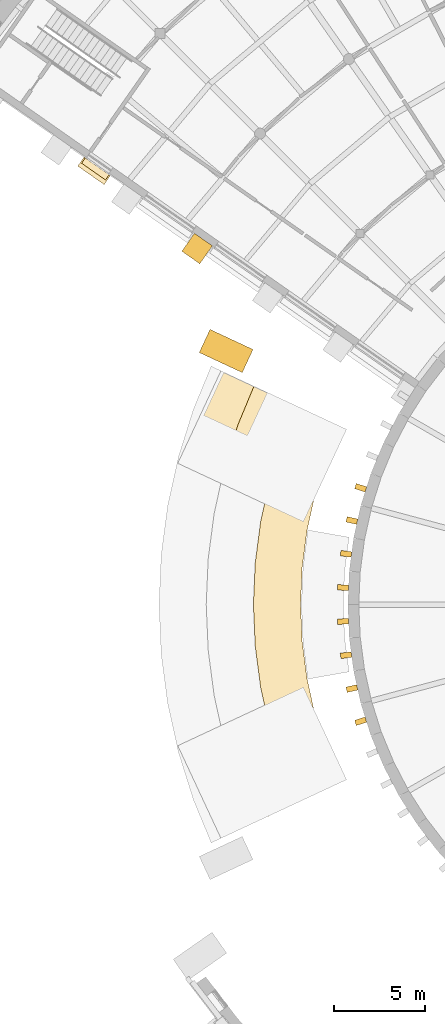
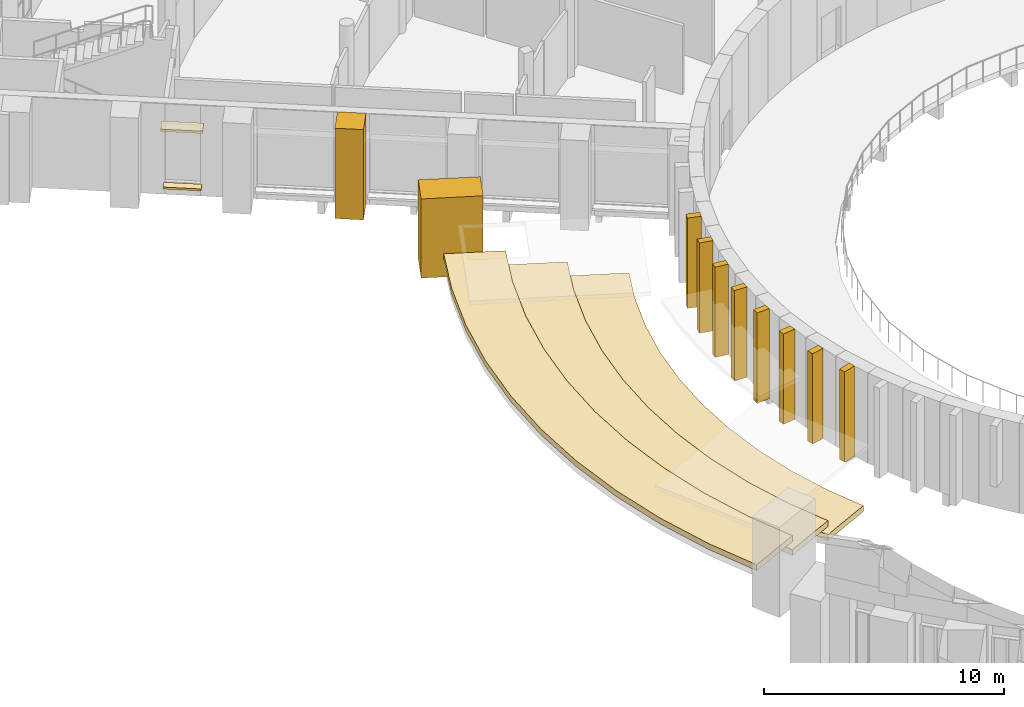
# One storey, part 38 of 50: 15 coverings.
"""IFC4 building model written with IfcOpenShell, lengths in metres."""

import ifcopenshell
import ifcopenshell.guid

model = None  # the IFC model being written
_history = None  # IfcOwnerHistory: only IFC2X3 demands one
_inside = {}  # id of a spatial element -> (the spatial element, [elements in it])
_under = {}  # id of a project, library or spatial element -> (it, [spatial elements below it])
_declared = {}  # id of a project -> (the project, [libraries it declares])
_typed = {}  # id of a type object -> (the type object, [elements of that type])
_made_of = {}  # id of a material, layer set ... -> (it, [elements and type objects made of it])


def new_model(schema):
    """Start an empty IFC model of exactly this schema.

    Asked for "IFC4X3", IfcOpenShell would pick the latest addendum, in which some entities
    have other attributes; the version numbers below select the first issue.
    IFC2X3 requires an IfcOwnerHistory on every rooted entity: one is made here for all.
    """
    global model, _history
    if schema == "IFC4X3":
        model = ifcopenshell.file(schema_version=(4, 3, 0, 0))
    else:
        model = ifcopenshell.file(schema=schema)
    _inside.clear()
    _under.clear()
    _declared.clear()
    _typed.clear()
    _made_of.clear()
    _history = None
    if model.schema == "IFC2X3":
        org = make("IfcOrganization", Name="unknown")
        user = make(
            "IfcPersonAndOrganization",
            ThePerson=make("IfcPerson", FamilyName="unknown"),
            TheOrganization=org,
        )
        app = make(
            "IfcApplication",
            ApplicationDeveloper=org,
            Version="unknown",
            ApplicationFullName="unknown",
            ApplicationIdentifier="unknown",
        )
        _history = make(
            "IfcOwnerHistory",
            OwningUser=user,
            OwningApplication=app,
            ChangeAction="ADDED",
            CreationDate=0,
        )
    return model


def make(cls, **values):
    """One entity of the class cls with the attributes given. An attribute that is None is left unset."""
    return model.create_entity(
        cls, **{name: value for name, value in values.items() if value is not None}
    )


def rooted(cls, **values):
    """An entity with a GlobalId (a new one), such as an element, a storey or a relation."""
    return make(cls, GlobalId=ifcopenshell.guid.new(), OwnerHistory=_history, **values)


def si_unit(unit_type, name, prefix=None):
    """IfcSIUnit, for example si_unit("LENGTHUNIT", "METRE", prefix="MILLI")."""
    return make("IfcSIUnit", UnitType=unit_type, Prefix=prefix, Name=name)


def assignment(units):
    """IfcUnitAssignment: the units of a project."""
    return None if units is None else make("IfcUnitAssignment", Units=units)


def point(xyz):
    """IfcCartesianPoint."""
    return None if xyz is None else make("IfcCartesianPoint", Coordinates=xyz)


def direction(xyz):
    """IfcDirection."""
    return None if xyz is None else make("IfcDirection", DirectionRatios=xyz)


def frame(location, z_axis=None, x_axis=None):
    """IfcAxis2Placement3D, a coordinate frame: its origin and axes. An axis left out is left unset."""
    return make(
        "IfcAxis2Placement3D",
        Location=point(location),
        Axis=direction(z_axis),
        RefDirection=direction(x_axis),
    )


def frame_2d(location, x_axis=None):
    """IfcAxis2Placement2D, a coordinate frame in the plane: its origin and x axis."""
    return make(
        "IfcAxis2Placement2D", Location=point(location), RefDirection=direction(x_axis)
    )


def origin():
    """The frame at (0, 0, 0) with its axes left unset."""
    return frame((0.0, 0.0, 0.0))


def origin_2d():
    """The frame at (0, 0) in the plane with its x axis left unset."""
    return frame_2d((0.0, 0.0))


def place(relative_to, where):
    """IfcLocalPlacement: puts the frame where relative to a parent placement (None: the world)."""
    return make(
        "IfcLocalPlacement", PlacementRelTo=relative_to, RelativePlacement=where
    )


def context(
    kind, dimensions, precision=None, world=None, true_north=None, identifier=None
):
    """IfcGeometricRepresentationContext, for example the 3D "Model" context."""
    return make(
        "IfcGeometricRepresentationContext",
        ContextIdentifier=identifier,
        ContextType=kind,
        CoordinateSpaceDimension=dimensions,
        Precision=precision,
        WorldCoordinateSystem=world,
        TrueNorth=true_north,
    )


def subcontext(parent, identifier, kind, view, scale=None):
    """IfcGeometricRepresentationSubContext, for example "Body" below "Model"."""
    return make(
        "IfcGeometricRepresentationSubContext",
        ContextIdentifier=identifier,
        ContextType=kind,
        ParentContext=parent,
        TargetScale=scale,
        TargetView=view,
    )


def project(units=None, contexts=None):
    """IfcProject with its units and contexts."""
    return rooted(
        "IfcProject",
        Name="project",
        RepresentationContexts=contexts,
        UnitsInContext=assignment(units),
    )


def spatial(cls, under=None, at=None, **own):
    """A site, building, storey or space (cls), placed at a placement, below another one or the project."""
    s = rooted(cls, ObjectPlacement=at, **own)
    if under is not None:
        _under.setdefault(under.id(), (under, []))[1].append(s)
    return s


def polyline(points):
    """IfcPolyline through the points."""
    return make("IfcPolyline", Points=[point(p) for p in points])


def profile(cls, at=None, kind="AREA", **sizes):
    """A parametric profile (cls). Its sizes go by their IFC names, for example OverallWidth=200.0."""
    return make(cls, ProfileType=kind, Position=at, **sizes)


def rectangle(**sizes):
    """IfcRectangleProfileDef."""
    return profile("IfcRectangleProfileDef", **sizes)


def outline(outer, holes=None, kind="AREA"):
    """IfcArbitraryClosedProfileDef: a profile drawn as a closed curve; with holes, ...WithVoids."""
    if holes is None:
        return make("IfcArbitraryClosedProfileDef", ProfileType=kind, OuterCurve=outer)
    return make(
        "IfcArbitraryProfileDefWithVoids",
        ProfileType=kind,
        OuterCurve=outer,
        InnerCurves=holes,
    )


def extrude(swept, where, along, depth):
    """IfcExtrudedAreaSolid: the profile swept, set in the frame where, extruded along a direction by depth."""
    return make(
        "IfcExtrudedAreaSolid",
        SweptArea=swept,
        Position=where,
        ExtrudedDirection=direction(along),
        Depth=depth,
    )


def shape(context_of_items, identifier, shape_type, items):
    """IfcShapeRepresentation: the items that make up one representation, for example the "Body"."""
    return make(
        "IfcShapeRepresentation",
        ContextOfItems=context_of_items,
        RepresentationIdentifier=identifier,
        RepresentationType=shape_type,
        Items=items,
    )


def material(Name=None, Category=None):
    """IfcMaterial."""
    return make("IfcMaterial", Name=Name, Category=Category)


def layer(
    of_material, thickness, ventilated=None, Name=None, Category=None, Priority=None
):
    """IfcMaterialLayer: one layer of a wall or slab, of a material (None: an air gap)."""
    return make(
        "IfcMaterialLayer",
        Material=of_material,
        LayerThickness=thickness,
        IsVentilated=ventilated,
        Name=Name,
        Category=Category,
        Priority=Priority,
    )


def layer_set(layers, Name=None):
    """IfcMaterialLayerSet."""
    return make("IfcMaterialLayerSet", MaterialLayers=layers, LayerSetName=Name)


def made_of(thing, what):
    """Note that an element or type object is made of a material, layer set ...; save() writes the relation."""
    if what is not None:
        _made_of.setdefault(what.id(), (what, []))[1].append(thing)
    return thing


def type_object(cls, material=None, **own):
    """A type object (cls), such as IfcWallType, which elements share."""
    return made_of(rooted(cls, **own), material)


def element(
    cls,
    number,
    at=None,
    inside=None,
    cuts=None,
    type_object=None,
    material=None,
    context=None,
    identifier="Body",
    shape_type=None,
    held_by="IfcProductDefinitionShape",
    body=None,
    shapes=None,
    **own,
):
    """One element of the class cls, such as IfcWall. Its Tag is "e" and its number.

    at: its placement. inside: the storey or other place that contains it. cuts: it is an
    opening in that element (IfcRelVoidsElement). A single representation is given by context,
    identifier, shape_type and body (its items); several are given by shapes. held_by: the class
    of the entity that holds the representations. save() writes the other relations.
    """
    e = rooted(cls, Tag="e%d" % number, ObjectPlacement=at, **own)
    if body is not None:
        shapes = [shape(context, identifier, shape_type, body)]
    if shapes is not None:
        e.Representation = make(held_by, Representations=shapes)
    if inside is not None:
        _inside.setdefault(inside.id(), (inside, []))[1].append(e)
    if cuts is not None:
        rooted(
            "IfcRelVoidsElement", RelatingBuildingElement=cuts, RelatedOpeningElement=e
        )
    if type_object is not None:
        _typed.setdefault(type_object.id(), (type_object, []))[1].append(e)
    return made_of(e, material)


def aggregate(whole, parts):
    """IfcRelAggregates: a whole, such as a stair, and the parts it consists of."""
    return rooted("IfcRelAggregates", RelatingObject=whole, RelatedObjects=parts)


def save(model, path):
    """Write the relations noted so far, then the file.

    IfcRelAggregates (storeys below a building ...), IfcRelContainedInSpatialStructure (elements
    in a storey), IfcRelDefinesByType, IfcRelAssociatesMaterial and IfcRelDeclares: one each for
    every whole, place, type object, material and project.
    """
    for whole, parts in _under.values():
        aggregate(whole, parts)
    for where, things in _inside.values():
        rooted(
            "IfcRelContainedInSpatialStructure",
            RelatedElements=things,
            RelatingStructure=where,
        )
    for kind, things in _typed.values():
        rooted("IfcRelDefinesByType", RelatedObjects=things, RelatingType=kind)
    for what, things in _made_of.values():
        rooted("IfcRelAssociatesMaterial", RelatedObjects=things, RelatingMaterial=what)
    for by, libraries in _declared.values():
        rooted("IfcRelDeclares", RelatingContext=by, RelatedDefinitions=libraries)
    model.write(path)


model = new_model("IFC4")

# Units and contexts
model_context = context("Model", 3, precision=1e-05, world=origin(), true_north=direction((0.0, 1.0)))
body_context = subcontext(model_context, "Body", "Model", "MODEL_VIEW")
ifc_project = project(units=[si_unit("LENGTHUNIT", "METRE"), si_unit("AREAUNIT", "SQUARE_METRE"), si_unit("VOLUMEUNIT", "CUBIC_METRE"), si_unit("PLANEANGLEUNIT", "RADIAN"), si_unit("MASSUNIT", "GRAM", prefix="KILO")], contexts=[model_context])

# Site, building, storey
site_placement = place(None, origin())
site = spatial("IfcSite", under=ifc_project, at=site_placement, CompositionType="ELEMENT")
building_placement = place(site_placement, origin())
building = spatial("IfcBuilding", under=site, at=building_placement, Name="Volute Hill Aquarium", CompositionType="ELEMENT")
storey_placement = place(building_placement, frame((0.0, 0.0, 9.199951171875)))
storey = spatial("IfcBuildingStorey", under=building, at=storey_placement, Name="L03", CompositionType="ELEMENT", Elevation=9.199951171875)

# Coverings
ifc_material_1 = material(Name="Precast pale concrete C40/50", Category="concrete")
covering_type_1 = type_object("IfcCoveringType", Name="Drum pier fin 300x600", PredefinedType="CLADDING", material=ifc_material_1)
for number, where, z_axis, x_axis, name in (
    (1, (-20.29541015625, 6.399169921875, 0.0), (0.0, 0.0, 1.0), (-0.300705799504, -0.953716950748, 0.0), "Drum pier fin DF 33 L03"),
    (2, (-20.77587890625, 4.60595703125, 0.0), (0.0, 0.0, 1.0), (-0.216439613938, -0.97629600712, 0.0), "Drum pier fin DF 34 L03"),
    (3, (-21.09814453125, 2.777587890625, 0.0), (0.0, 0.0, 1.0), (-0.13052619222, -0.991444861374, 0.0), "Drum pier fin DF 35 L03"),
    (4, (-21.260009765625, 0.92822265625, 0.0), (0.0, 0.0, 1.0), (-0.043619387365, -0.999048221582, 0.0), "Drum pier fin DF 36 L03"),
    (5, (-21.260009765625, -0.92822265625, 0.0), (0.0, 0.0, 1.0), (0.043619387365, -0.999048221582, 0.0), "Drum pier fin DF 37 L03"),
    (6, (-21.09814453125, -2.777587890625, 0.0), (0.0, 0.0, 1.0), (0.13052619222, -0.991444861374, 0.0), "Drum pier fin DF 38 L03"),
    (7, (-20.77587890625, -4.60595703125, 0.0), (0.0, 0.0, 1.0), (0.216439613938, -0.97629600712, 0.0), "Drum pier fin DF 39 L03"),
    (8, (-20.29541015625, -6.399169921875, 0.0), (0.0, 0.0, 1.0), (0.300705799504, -0.953716950748, 0.0), "Drum pier fin DF 40 L03"),
):
    element("IfcCovering", number, at=place(storey_placement, frame(where, z_axis=z_axis, x_axis=x_axis)), inside=storey, type_object=covering_type_1, Name=name, PredefinedType="CLADDING", context=body_context, shape_type="SweptSolid", body=[
        extrude(rectangle(XDim=0.300048828125, YDim=0.60009765625, at=origin_2d()), origin(), (0.0, 0.0, 1.0), 4.60009765625),
    ])
ifc_material_2 = material(Name="Precast concrete C40/50", Category="concrete")
covering_type_2 = type_object("IfcCoveringType", Name="End wall precast fin C40/50 1200x1200", PredefinedType="CLADDING", material=ifc_material_2)
covering_1_placement = place(storey_placement, frame((-29.26025390625, 19.51171875, 0.0), z_axis=(0.0, 0.0, 1.0), x_axis=(-0.819151442029, 0.573577296467, 0.0)))
element("IfcCovering", 9, at=covering_1_placement, inside=storey, type_object=covering_type_2, Name="End wall fin EWF S6B L03 4", PredefinedType="CLADDING", context=body_context, shape_type="SweptSolid", body=[
    extrude(rectangle(XDim=1.199951171875, YDim=1.199951171875, at=origin_2d()), origin(), (0.0, 0.0, 1.0), 4.60009765625),
])
ifc_material_3 = material(Name="Precast concrete C40/50", Category="concrete")
ifc_layer_1 = layer(ifc_material_3, 0.1201171875)
ifc_layer_set_1 = layer_set([ifc_layer_1], Name="End wall window head blade precast C40/50 600x120")
covering_type_3 = type_object("IfcCoveringType", Name="End wall window head blade precast C40/50 600x120", PredefinedType="CLADDING", material=ifc_layer_set_1)
covering_2_placement = place(storey_placement, frame((-34.908203125, 23.771484375, 3.60009765625), z_axis=(0.0, 0.0, 1.0), x_axis=(-0.819151442029, 0.573577296467, 0.0)))
element("IfcCovering", 10, at=covering_2_placement, inside=storey, type_object=covering_type_3, Name="End wall window head blade EWB S6B L03 5.1", PredefinedType="CLADDING", context=body_context, shape_type="SweptSolid", body=[
    extrude(rectangle(XDim=1.760009765625, YDim=0.60009765625, at=origin_2d()), origin(), (0.0, 0.0, 1.0), 0.1201171875),
])
ifc_material_4 = material(Name="Precast concrete C40/50", Category="concrete")
ifc_layer_2 = layer(ifc_material_4, 0.10009765625)
ifc_layer_set_2 = layer_set([ifc_layer_2], Name="End wall window sill precast C40/50 350x100")
covering_type_4 = type_object("IfcCoveringType", Name="End wall window sill precast C40/50 350x100", PredefinedType="CLADDING", material=ifc_layer_set_2)
covering_3_placement = place(storey_placement, frame((-34.836669921875, 23.8740234375, 0.5), z_axis=(0.0, 0.0, 1.0), x_axis=(-0.819151442029, 0.573577296467, 0.0)))
element("IfcCovering", 11, at=covering_3_placement, inside=storey, type_object=covering_type_4, Name="End wall window sill EWS S6B L03 5.1", PredefinedType="CLADDING", context=body_context, shape_type="SweptSolid", body=[
    extrude(rectangle(XDim=1.60009765625, YDim=0.35009765625, at=origin_2d()), origin(), (0.0, 0.0, 1.0), 0.10009765625),
])
ifc_material_5 = material(Name="Planted growing medium")
ifc_layer_3 = layer(ifc_material_5, 0.300048828125)
ifc_layer_set_3 = layer_set([ifc_layer_3], Name="Planted terrace build-up 300")
covering_type_5 = type_object("IfcCoveringType", Name="Planted terrace build-up 300", PredefinedType="ROOFING", material=ifc_layer_set_3)
covering_4_placement = place(storey_placement, frame((-22.78369140625, 6.10498046875, 0.02001953125), z_axis=(0.0, 0.0, 1.0), x_axis=(0.300665687827, 0.953729596984, 0.0)))
element("IfcCovering", 12, at=covering_4_placement, inside=storey, type_object=covering_type_5, Name="Planted terrace RF S1 2", PredefinedType="ROOFING", context=body_context, shape_type="SweptSolid", body=[
    extrude(outline(polyline([(0.0, 0.0), (2.0576087288847855, 1.1102230246251565e-16), (3.9080247006020805, -0.1620804362006556), (4.246040813203963, 2.403473467631195), (2.1706312396252403, 2.5849868590669183), (-0.11282593443623934, 2.5852074208087834), (-2.3877297507986732, 2.386152157882732), (-4.636520609604775, 1.9897729866652227), (-6.842165373972915, 1.3988797953833272), (-8.987911895844173, 0.6179857859522802), (-11.057448455413276, -0.3469987748733523), (-13.035210009977446, -1.4886071160687253), (-14.905692291529775, -2.798367685340497), (-16.501769115715543, -4.137326527377766), (-14.753501734914973, -6.045174239086973), (-13.330594788077397, -4.8511704045760355), (-11.645001124111982, -3.6711163036202743), (-9.862890290787771, -2.642128398437606), (-7.9979898377145595, -1.772630096638554), (-6.064148863893909, -1.0690352432966475), (-4.07642883370964, -0.5363479886330219), (-2.0500380209634588, -0.17910679458903594), (0.0, 0.0)])), origin(), (0.0, 0.0, -1.0), 0.300048828125),
])
covering_5_placement = place(storey_placement, frame((-25.283203125, 6.774658203125, 0.739990234375), z_axis=(0.0, 0.0, 1.0), x_axis=(0.300757808258, 0.953700550892, 0.0)))
element("IfcCovering", 13, at=covering_5_placement, inside=storey, type_object=covering_type_5, Name="Planted terrace RF S1 3", PredefinedType="ROOFING", context=body_context, shape_type="SweptSolid", body=[
    extrude(outline(polyline([(0.0, 0.0), (2.283457184713635, 0.0), (4.358884281196867, -0.18131292440388824), (4.6964931725859556, 2.383967352575032), (2.3962300080887715, 2.5849977639817654), (-0.11300221485302075, 2.584963673714342), (-2.612591251282963, 2.366024752114084), (-5.0837400775214485, 1.9302689105980346), (-7.507406277389601, 1.2806294261274735), (-9.865281706701358, 0.422367946149258), (-12.139351930067791, -0.6383225336955256), (-14.312336784092777, -1.8929206472802136), (-16.367642061075166, -3.3323533717310316), (-18.13643915717148, -4.816597517784572), (-16.388293767581136, -6.724116943598117), (-14.792346282407335, -5.385003940920549), (-12.921990520852486, -4.075062705735207), (-10.944339244770163, -2.933263335614133), (-8.874895903818011, -1.9680788803861347), (-6.729224819402255, -1.1869776144865063), (-4.52363714037264, -0.5958713802099205), (-2.274884578774604, -0.1992749975597044), (0.0, 0.0)])), origin(), (0.0, 0.0, -1.0), 0.300048828125),
])
covering_6_placement = place(storey_placement, frame((-27.782470703125, 7.4443359375, 1.4599609375), z_axis=(0.0, 0.0, 1.0), x_axis=(0.300744851316, 0.95370463688, 0.0)))
element("IfcCovering", 14, at=covering_6_placement, inside=storey, type_object=covering_type_5, Name="Planted terrace RF S1 4", PredefinedType="ROOFING", context=body_context, shape_type="SweptSolid", body=[
    extrude(outline(polyline([(0.0, 0.0), (2.5092322231733664, 1.1102230246251565e-16), (4.809492656272036, -0.2010616626154278), (5.146976985352493, 2.3639077653120055), (2.6218807521411303, 2.584689969536803), (-0.1128936716565917, 2.584732370670481), (-2.8374232451794628, 2.3460931130917264), (-5.530668525896427, 1.8710549930737015), (-8.172496291584455, 1.1631509870943177), (-10.742515350097966, 0.22753137201606455), (-13.22106874965104, -0.928325194837436), (-15.589638596811891, -2.295763299973779), (-17.829681866272303, -3.8645836535519473), (-19.771350709699714, -5.49393256374394), (-18.023537497788887, -7.401316325562001), (-16.254720237010407, -5.9170962104089), (-14.199395404177386, -4.477691409336085), (-12.026393505463748, -3.2231228178994984), (-9.752308871834625, -2.1624632335242397), (-7.394421782455265, -1.3042337875689998), (-4.970746756850583, -0.654627230931333), (-2.4995920106893506, -0.21890496232434353), (0.0, 0.0)])), origin(), (0.0, 0.0, -1.0), 0.300048828125),
])
ifc_material_6 = material(Name="Precast concrete C40/50", Category="concrete")
covering_type_6 = type_object("IfcCoveringType", Name="Step pylon precast concrete C40/50 1400x2600", PredefinedType="CLADDING", material=ifc_material_6)
covering_7_placement = place(storey_placement, frame((-27.669921875, 13.895751953125, 0.0), z_axis=(0.0, 0.0, 1.0), x_axis=(-0.906307787037, 0.422618261741, 0.0)))
element("IfcCovering", 15, at=covering_7_placement, inside=storey, type_object=covering_type_6, Name="Step pylon SPY S1A L03", PredefinedType="CLADDING", context=body_context, shape_type="SweptSolid", body=[
    extrude(rectangle(XDim=2.60009765625, YDim=1.39990234375, at=origin_2d()), origin(), (0.0, 0.0, 1.0), 4.030029296875),
])

save(model, "model.ifc")
